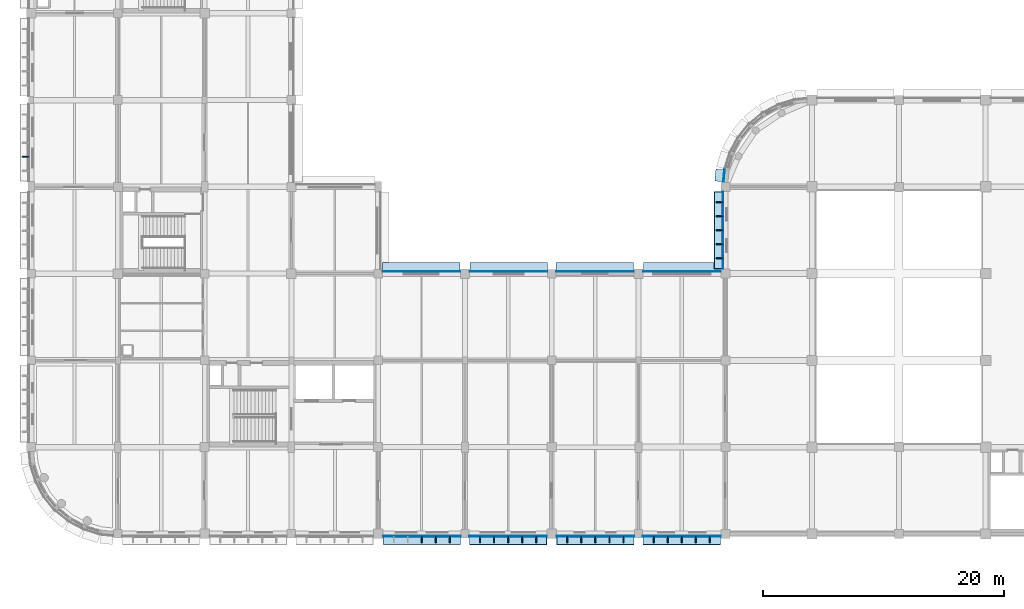
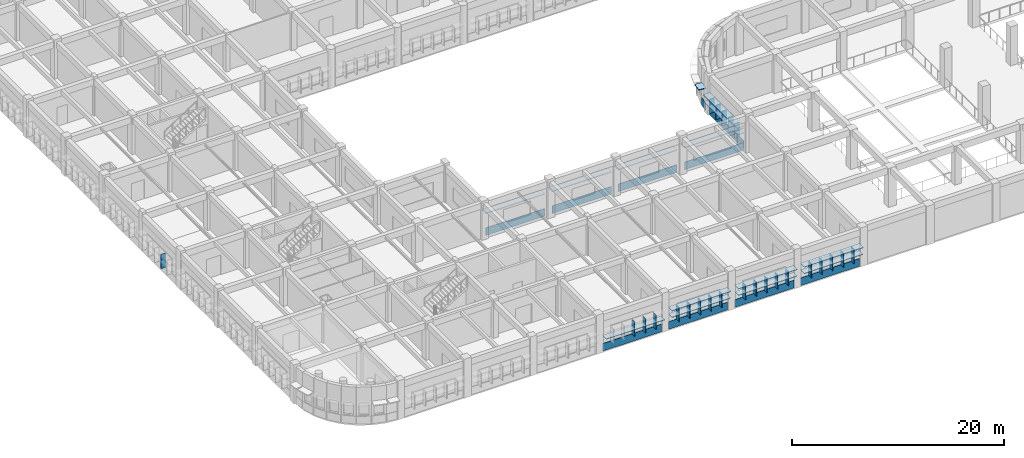
# One storey, part 17 of 61: 48 plates.
"""IFC4 building model written with IfcOpenShell, lengths in metres."""

import ifcopenshell
import ifcopenshell.guid

model = None  # the IFC model being written
_history = None  # IfcOwnerHistory: only IFC2X3 demands one
_inside = {}  # id of a spatial element -> (the spatial element, [elements in it])
_under = {}  # id of a project, library or spatial element -> (it, [spatial elements below it])
_declared = {}  # id of a project -> (the project, [libraries it declares])
_typed = {}  # id of a type object -> (the type object, [elements of that type])
_made_of = {}  # id of a material, layer set ... -> (it, [elements and type objects made of it])


def new_model(schema):
    """Start an empty IFC model of exactly this schema.

    Asked for "IFC4X3", IfcOpenShell would pick the latest addendum, in which some entities
    have other attributes; the version numbers below select the first issue.
    IFC2X3 requires an IfcOwnerHistory on every rooted entity: one is made here for all.
    """
    global model, _history
    if schema == "IFC4X3":
        model = ifcopenshell.file(schema_version=(4, 3, 0, 0))
    else:
        model = ifcopenshell.file(schema=schema)
    _inside.clear()
    _under.clear()
    _declared.clear()
    _typed.clear()
    _made_of.clear()
    _history = None
    if model.schema == "IFC2X3":
        org = make("IfcOrganization", Name="unknown")
        user = make(
            "IfcPersonAndOrganization",
            ThePerson=make("IfcPerson", FamilyName="unknown"),
            TheOrganization=org,
        )
        app = make(
            "IfcApplication",
            ApplicationDeveloper=org,
            Version="unknown",
            ApplicationFullName="unknown",
            ApplicationIdentifier="unknown",
        )
        _history = make(
            "IfcOwnerHistory",
            OwningUser=user,
            OwningApplication=app,
            ChangeAction="ADDED",
            CreationDate=0,
        )
    return model


def make(cls, **values):
    """One entity of the class cls with the attributes given. An attribute that is None is left unset."""
    return model.create_entity(
        cls, **{name: value for name, value in values.items() if value is not None}
    )


def rooted(cls, **values):
    """An entity with a GlobalId (a new one), such as an element, a storey or a relation."""
    return make(cls, GlobalId=ifcopenshell.guid.new(), OwnerHistory=_history, **values)


def si_unit(unit_type, name, prefix=None):
    """IfcSIUnit, for example si_unit("LENGTHUNIT", "METRE", prefix="MILLI")."""
    return make("IfcSIUnit", UnitType=unit_type, Prefix=prefix, Name=name)


def assignment(units):
    """IfcUnitAssignment: the units of a project."""
    return None if units is None else make("IfcUnitAssignment", Units=units)


def point(xyz):
    """IfcCartesianPoint."""
    return None if xyz is None else make("IfcCartesianPoint", Coordinates=xyz)


def direction(xyz):
    """IfcDirection."""
    return None if xyz is None else make("IfcDirection", DirectionRatios=xyz)


def frame(location, z_axis=None, x_axis=None):
    """IfcAxis2Placement3D, a coordinate frame: its origin and axes. An axis left out is left unset."""
    return make(
        "IfcAxis2Placement3D",
        Location=point(location),
        Axis=direction(z_axis),
        RefDirection=direction(x_axis),
    )


def frame_2d(location, x_axis=None):
    """IfcAxis2Placement2D, a coordinate frame in the plane: its origin and x axis."""
    return make(
        "IfcAxis2Placement2D", Location=point(location), RefDirection=direction(x_axis)
    )


def origin():
    """The frame at (0, 0, 0) with its axes left unset."""
    return frame((0.0, 0.0, 0.0))


def origin_2d():
    """The frame at (0, 0) in the plane with its x axis left unset."""
    return frame_2d((0.0, 0.0))


def place(relative_to, where):
    """IfcLocalPlacement: puts the frame where relative to a parent placement (None: the world)."""
    return make(
        "IfcLocalPlacement", PlacementRelTo=relative_to, RelativePlacement=where
    )


def context(
    kind, dimensions, precision=None, world=None, true_north=None, identifier=None
):
    """IfcGeometricRepresentationContext, for example the 3D "Model" context."""
    return make(
        "IfcGeometricRepresentationContext",
        ContextIdentifier=identifier,
        ContextType=kind,
        CoordinateSpaceDimension=dimensions,
        Precision=precision,
        WorldCoordinateSystem=world,
        TrueNorth=true_north,
    )


def subcontext(parent, identifier, kind, view, scale=None):
    """IfcGeometricRepresentationSubContext, for example "Body" below "Model"."""
    return make(
        "IfcGeometricRepresentationSubContext",
        ContextIdentifier=identifier,
        ContextType=kind,
        ParentContext=parent,
        TargetScale=scale,
        TargetView=view,
    )


def project(units=None, contexts=None):
    """IfcProject with its units and contexts."""
    return rooted(
        "IfcProject",
        Name="project",
        RepresentationContexts=contexts,
        UnitsInContext=assignment(units),
    )


def spatial(cls, under=None, at=None, **own):
    """A site, building, storey or space (cls), placed at a placement, below another one or the project."""
    s = rooted(cls, ObjectPlacement=at, **own)
    if under is not None:
        _under.setdefault(under.id(), (under, []))[1].append(s)
    return s


def profile(cls, at=None, kind="AREA", **sizes):
    """A parametric profile (cls). Its sizes go by their IFC names, for example OverallWidth=200.0."""
    return make(cls, ProfileType=kind, Position=at, **sizes)


def rectangle(**sizes):
    """IfcRectangleProfileDef."""
    return profile("IfcRectangleProfileDef", **sizes)


def extrude(swept, where, along, depth):
    """IfcExtrudedAreaSolid: the profile swept, set in the frame where, extruded along a direction by depth."""
    return make(
        "IfcExtrudedAreaSolid",
        SweptArea=swept,
        Position=where,
        ExtrudedDirection=direction(along),
        Depth=depth,
    )


def shape(context_of_items, identifier, shape_type, items):
    """IfcShapeRepresentation: the items that make up one representation, for example the "Body"."""
    return make(
        "IfcShapeRepresentation",
        ContextOfItems=context_of_items,
        RepresentationIdentifier=identifier,
        RepresentationType=shape_type,
        Items=items,
    )


def material(Name=None, Category=None):
    """IfcMaterial."""
    return make("IfcMaterial", Name=Name, Category=Category)


def layer(
    of_material, thickness, ventilated=None, Name=None, Category=None, Priority=None
):
    """IfcMaterialLayer: one layer of a wall or slab, of a material (None: an air gap)."""
    return make(
        "IfcMaterialLayer",
        Material=of_material,
        LayerThickness=thickness,
        IsVentilated=ventilated,
        Name=Name,
        Category=Category,
        Priority=Priority,
    )


def layer_set(layers, Name=None):
    """IfcMaterialLayerSet."""
    return make("IfcMaterialLayerSet", MaterialLayers=layers, LayerSetName=Name)


def made_of(thing, what):
    """Note that an element or type object is made of a material, layer set ...; save() writes the relation."""
    if what is not None:
        _made_of.setdefault(what.id(), (what, []))[1].append(thing)
    return thing


def type_object(cls, material=None, **own):
    """A type object (cls), such as IfcWallType, which elements share."""
    return made_of(rooted(cls, **own), material)


def element(
    cls,
    number,
    at=None,
    inside=None,
    cuts=None,
    type_object=None,
    material=None,
    context=None,
    identifier="Body",
    shape_type=None,
    held_by="IfcProductDefinitionShape",
    body=None,
    shapes=None,
    **own,
):
    """One element of the class cls, such as IfcWall. Its Tag is "e" and its number.

    at: its placement. inside: the storey or other place that contains it. cuts: it is an
    opening in that element (IfcRelVoidsElement). A single representation is given by context,
    identifier, shape_type and body (its items); several are given by shapes. held_by: the class
    of the entity that holds the representations. save() writes the other relations.
    """
    e = rooted(cls, Tag="e%d" % number, ObjectPlacement=at, **own)
    if body is not None:
        shapes = [shape(context, identifier, shape_type, body)]
    if shapes is not None:
        e.Representation = make(held_by, Representations=shapes)
    if inside is not None:
        _inside.setdefault(inside.id(), (inside, []))[1].append(e)
    if cuts is not None:
        rooted(
            "IfcRelVoidsElement", RelatingBuildingElement=cuts, RelatedOpeningElement=e
        )
    if type_object is not None:
        _typed.setdefault(type_object.id(), (type_object, []))[1].append(e)
    return made_of(e, material)


def aggregate(whole, parts):
    """IfcRelAggregates: a whole, such as a stair, and the parts it consists of."""
    return rooted("IfcRelAggregates", RelatingObject=whole, RelatedObjects=parts)


def save(model, path):
    """Write the relations noted so far, then the file.

    IfcRelAggregates (storeys below a building ...), IfcRelContainedInSpatialStructure (elements
    in a storey), IfcRelDefinesByType, IfcRelAssociatesMaterial and IfcRelDeclares: one each for
    every whole, place, type object, material and project.
    """
    for whole, parts in _under.values():
        aggregate(whole, parts)
    for where, things in _inside.values():
        rooted(
            "IfcRelContainedInSpatialStructure",
            RelatedElements=things,
            RelatingStructure=where,
        )
    for kind, things in _typed.values():
        rooted("IfcRelDefinesByType", RelatedObjects=things, RelatingType=kind)
    for what, things in _made_of.values():
        rooted("IfcRelAssociatesMaterial", RelatedObjects=things, RelatingMaterial=what)
    for by, libraries in _declared.values():
        rooted("IfcRelDeclares", RelatingContext=by, RelatedDefinitions=libraries)
    model.write(path)


model = new_model("IFC4")

# Units and contexts
model_context = context("Model", 3, precision=1e-05, world=origin(), true_north=direction((0.0, 1.0)))
body_context = subcontext(model_context, "Body", "Model", "MODEL_VIEW")
ifc_project = project(units=[si_unit("LENGTHUNIT", "METRE"), si_unit("AREAUNIT", "SQUARE_METRE"), si_unit("VOLUMEUNIT", "CUBIC_METRE"), si_unit("PLANEANGLEUNIT", "RADIAN"), si_unit("MASSUNIT", "GRAM", prefix="KILO")], contexts=[model_context])

# Site, building, storey
site_placement = place(None, origin())
site = spatial("IfcSite", under=ifc_project, at=site_placement, CompositionType="ELEMENT")
building_placement = place(site_placement, origin())
building = spatial("IfcBuilding", under=site, at=building_placement, Name="Thalmaran Polytechnic", CompositionType="ELEMENT")
storey_placement = place(building_placement, frame((0.0, 0.0, 9.89990234375)))
storey = spatial("IfcBuildingStorey", under=building, at=storey_placement, Name="L02", CompositionType="ELEMENT", Elevation=9.89990234375)

# Plates
ifc_material_1 = material(Name="Anodised aluminium spandrel band", Category="aluminium")
ifc_layer_1 = layer(ifc_material_1, 0.054931640625, Name="Anodised aluminium spandrel band")
ifc_layer_set_1 = layer_set([ifc_layer_1], Name="Anodised aluminium spandrel band")
plate_type_1 = type_object("IfcPlateType", Name="PT-BD01", PredefinedType="SHEET", material=ifc_layer_set_1)
plate_1_placement = place(storey_placement, frame((53.987548828125, -0.195068359375, 0.020263671875), z_axis=(0.0, 0.0, 1.0), x_axis=(-1.0, 0.0, 0.0)))
element("IfcPlate", 1, at=plate_1_placement, inside=storey, type_object=plate_type_1, Name="Streamline Horizontal Spandrel Band L02-085", PredefinedType="SHEET", context=body_context, shape_type="SweptSolid", body=[
    extrude(rectangle(XDim=6.43505859375, YDim=0.054931640625, at=origin_2d()), origin(), (0.0, 0.0, 1.0), 0.8798828125),
])
for number, where, z_axis, x_axis, name in (
    (2, (46.820068359375, -0.195068359375, 0.020263671875), (0.0, 0.0, 1.0), (-1.0, 0.0, 0.0), "Streamline Horizontal Spandrel Band L02-086"),
    (3, (39.580078125, -0.195068359375, 0.020263671875), (0.0, 0.0, 1.0), (-1.0, 0.0, 0.0), "Streamline Horizontal Spandrel Band L02-087"),
    (4, (32.419921875, -0.195068359375, 0.020263671875), (0.0, 0.0, 1.0), (-1.0, 0.0, 0.0), "Streamline Horizontal Spandrel Band L02-088"),
    (5, (32.3798828125, 21.780029296875, 0.020263671875), (0.0, 0.0, 1.0), (1.0, 0.0, 0.0), "Streamline Horizontal Spandrel Band L02-134"),
    (6, (39.6201171875, 21.780029296875, 0.020263671875), (0.0, 0.0, 1.0), (1.0, 0.0, 0.0), "Streamline Horizontal Spandrel Band L02-135"),
    (7, (46.780029296875, 21.780029296875, 0.020263671875), (0.0, 0.0, 1.0), (1.0, 0.0, 0.0), "Streamline Horizontal Spandrel Band L02-136"),
):
    element("IfcPlate", number, at=place(storey_placement, frame(where, z_axis=z_axis, x_axis=x_axis)), inside=storey, type_object=plate_type_1, Name=name, PredefinedType="SHEET", context=body_context, shape_type="SweptSolid", body=[
        extrude(rectangle(XDim=6.419921875, YDim=0.054931640625, at=origin_2d()), origin(), (0.0, 0.0, 1.0), 0.8798828125),
    ])
plate_2_placement = place(storey_placement, frame((54.007568359375, 21.780029296875, 0.020263671875), z_axis=(0.0, 0.0, 1.0), x_axis=(1.0, 0.0, 0.0)))
element("IfcPlate", 8, at=plate_2_placement, inside=storey, type_object=plate_type_1, Name="Streamline Horizontal Spandrel Band L02-137", PredefinedType="SHEET", context=body_context, shape_type="SweptSolid", body=[
    extrude(rectangle(XDim=6.39501953125, YDim=0.054931640625, at=origin_2d()), origin(), (0.0, 0.0, 1.0), 0.8798828125),
])
plate_3_placement = place(storey_placement, frame((57.405029296875, 25.199951171875, 0.020263671875), z_axis=(0.0, 0.0, 1.0), x_axis=(0.0, 1.0, 0.0)))
element("IfcPlate", 9, at=plate_3_placement, inside=storey, type_object=plate_type_1, Name="Streamline Horizontal Spandrel Band L02-138", PredefinedType="SHEET", context=body_context, shape_type="SweptSolid", body=[
    extrude(rectangle(XDim=6.409912109375, YDim=0.054931640625, at=origin_2d()), origin(), (0.0, 0.0, 1.0), 0.8798828125),
])
plate_4_placement = place(storey_placement, frame((57.493408203125, 29.7080078125, 0.020263671875), z_axis=(0.0, 0.0, 1.0), x_axis=(0.09801714033, 0.995184726672, 0.0)))
element("IfcPlate", 10, at=plate_4_placement, inside=storey, type_object=plate_type_1, Name="Streamline Horizontal Spandrel Band L02-139", PredefinedType="SHEET", context=body_context, shape_type="SweptSolid", body=[
    extrude(rectangle(XDim=0.996337890625, YDim=0.054931640625, at=origin_2d()), origin(), (0.0, 0.0, 1.0), 0.8798828125),
])
ifc_material_2 = material(Name="Anodised aluminium sun-hood eyebrow", Category="aluminium")
ifc_layer_2 = layer(ifc_material_2, 0.0849609375, Name="Anodised aluminium sun-hood eyebrow")
ifc_layer_set_2 = layer_set([ifc_layer_2], Name="Anodised aluminium sun-hood eyebrow")
plate_type_2 = type_object("IfcPlateType", Name="PT-EB01", PredefinedType="SHEET", material=ifc_layer_set_2)
plate_5_placement = place(storey_placement, frame((53.987548828125, -0.5400390625, 2.517578125), z_axis=(0.0, 0.0, 1.0), x_axis=(-1.0, 0.0, 0.0)))
element("IfcPlate", 11, at=plate_5_placement, inside=storey, type_object=plate_type_2, Name="Streamline Sun-Hood Eyebrow L02-085", PredefinedType="SHEET", context=body_context, shape_type="SweptSolid", body=[
    extrude(rectangle(XDim=6.43505859375, YDim=0.760009765625, at=origin_2d()), origin(), (0.0, 0.0, 1.0), 0.0849609375),
])
plate_6_placement = place(storey_placement, frame((53.987548828125, -0.52001953125, 1.74267578125), z_axis=(0.0, 0.0, 1.0), x_axis=(-1.0, 0.0, 0.0)))
element("IfcPlate", 12, at=plate_6_placement, inside=storey, type_object=plate_type_2, Name="Abu Dhabi Horizontal Solar Louvre L02-085", PredefinedType="SHEET", context=body_context, shape_type="SweptSolid", body=[
    extrude(rectangle(XDim=6.39501953125, YDim=0.719970703125, at=origin_2d()), origin(), (0.0, 0.0, 1.0), 0.074951171875),
])
plate_7_placement = place(storey_placement, frame((46.820068359375, -0.5400390625, 2.517578125), z_axis=(0.0, 0.0, 1.0), x_axis=(-1.0, 0.0, 0.0)))
element("IfcPlate", 13, at=plate_7_placement, inside=storey, type_object=plate_type_2, Name="Streamline Sun-Hood Eyebrow L02-086", PredefinedType="SHEET", context=body_context, shape_type="SweptSolid", body=[
    extrude(rectangle(XDim=6.419921875, YDim=0.760009765625, at=origin_2d()), origin(), (0.0, 0.0, 1.0), 0.0849609375),
])
plate_8_placement = place(storey_placement, frame((46.820068359375, -0.52001953125, 1.74267578125), z_axis=(0.0, 0.0, 1.0), x_axis=(-1.0, 0.0, 0.0)))
element("IfcPlate", 14, at=plate_8_placement, inside=storey, type_object=plate_type_2, Name="Abu Dhabi Horizontal Solar Louvre L02-086", PredefinedType="SHEET", context=body_context, shape_type="SweptSolid", body=[
    extrude(rectangle(XDim=6.3798828125, YDim=0.719970703125, at=origin_2d()), origin(), (0.0, 0.0, 1.0), 0.074951171875),
])
plate_9_placement = place(storey_placement, frame((39.580078125, -0.5400390625, 2.517578125), z_axis=(0.0, 0.0, 1.0), x_axis=(-1.0, 0.0, 0.0)))
element("IfcPlate", 15, at=plate_9_placement, inside=storey, type_object=plate_type_2, Name="Streamline Sun-Hood Eyebrow L02-087", PredefinedType="SHEET", context=body_context, shape_type="SweptSolid", body=[
    extrude(rectangle(XDim=6.419921875, YDim=0.760009765625, at=origin_2d()), origin(), (0.0, 0.0, 1.0), 0.0849609375),
])
for number, where, z_axis, x_axis, name in (
    (16, (39.580078125, -0.52001953125, 1.74267578125), (0.0, 0.0, 1.0), (-1.0, 0.0, 0.0), "Abu Dhabi Horizontal Solar Louvre L02-087"),
    (17, (32.419921875, -0.52001953125, 1.74267578125), (0.0, 0.0, 1.0), (-1.0, 0.0, 0.0), "Abu Dhabi Horizontal Solar Louvre L02-088"),
):
    element("IfcPlate", number, at=place(storey_placement, frame(where, z_axis=z_axis, x_axis=x_axis)), inside=storey, type_object=plate_type_2, Name=name, PredefinedType="SHEET", context=body_context, shape_type="SweptSolid", body=[
        extrude(rectangle(XDim=6.3798828125, YDim=0.719970703125, at=origin_2d()), origin(), (0.0, 0.0, 1.0), 0.074951171875),
    ])
for number, where, z_axis, x_axis, name in (
    (18, (32.3798828125, 22.125, 2.517578125), (0.0, 0.0, 1.0), (1.0, 0.0, 0.0), "Streamline Sun-Hood Eyebrow L02-134"),
    (19, (39.6201171875, 22.125, 2.517578125), (0.0, 0.0, 1.0), (1.0, 0.0, 0.0), "Streamline Sun-Hood Eyebrow L02-135"),
    (20, (46.780029296875, 22.125, 2.517578125), (0.0, 0.0, 1.0), (1.0, 0.0, 0.0), "Streamline Sun-Hood Eyebrow L02-136"),
):
    element("IfcPlate", number, at=place(storey_placement, frame(where, z_axis=z_axis, x_axis=x_axis)), inside=storey, type_object=plate_type_2, Name=name, PredefinedType="SHEET", context=body_context, shape_type="SweptSolid", body=[
        extrude(rectangle(XDim=6.419921875, YDim=0.760009765625, at=origin_2d()), origin(), (0.0, 0.0, 1.0), 0.0849609375),
    ])
plate_10_placement = place(storey_placement, frame((54.007568359375, 22.125, 2.517578125), z_axis=(0.0, 0.0, 1.0), x_axis=(1.0, 0.0, 0.0)))
element("IfcPlate", 21, at=plate_10_placement, inside=storey, type_object=plate_type_2, Name="Streamline Sun-Hood Eyebrow L02-137", PredefinedType="SHEET", context=body_context, shape_type="SweptSolid", body=[
    extrude(rectangle(XDim=6.39501953125, YDim=0.760009765625, at=origin_2d()), origin(), (0.0, 0.0, 1.0), 0.0849609375),
])
plate_11_placement = place(storey_placement, frame((57.06005859375, 25.199951171875, 2.517578125), z_axis=(0.0, 0.0, 1.0), x_axis=(0.0, 1.0, 0.0)))
element("IfcPlate", 22, at=plate_11_placement, inside=storey, type_object=plate_type_2, Name="Streamline Sun-Hood Eyebrow L02-138", PredefinedType="SHEET", context=body_context, shape_type="SweptSolid", body=[
    extrude(rectangle(XDim=6.409912109375, YDim=0.760009765625, at=origin_2d()), origin(), (0.0, 0.0, 1.0), 0.0849609375),
])
plate_12_placement = place(storey_placement, frame((57.080078125, 25.199951171875, 1.74267578125), z_axis=(0.0, 0.0, 1.0), x_axis=(0.0, 1.0, 0.0)))
element("IfcPlate", 23, at=plate_12_placement, inside=storey, type_object=plate_type_2, Name="Abu Dhabi Horizontal Solar Louvre L02-138", PredefinedType="SHEET", context=body_context, shape_type="SweptSolid", body=[
    extrude(rectangle(XDim=6.3701171875, YDim=0.719970703125, at=origin_2d()), origin(), (0.0, 0.0, 1.0), 0.074951171875),
])
plate_13_placement = place(storey_placement, frame((57.150146484375, 29.741943359375, 2.517578125), z_axis=(0.0, 0.0, 1.0), x_axis=(0.09801714033, 0.995184726672, 0.0)))
element("IfcPlate", 24, at=plate_13_placement, inside=storey, type_object=plate_type_2, Name="Streamline Sun-Hood Eyebrow L02-139", PredefinedType="SHEET", context=body_context, shape_type="SweptSolid", body=[
    extrude(rectangle(XDim=0.996337890625, YDim=0.760009765625, at=origin_2d()), origin(), (0.0, 0.0, 1.0), 0.0849609375),
])
ifc_material_3 = material(Name="Anodised bronze brise-soleil fin")
ifc_layer_3 = layer(ifc_material_3, 0.06494140625, Name="Anodised bronze brise-soleil fin")
ifc_layer_set_3 = layer_set([ifc_layer_3], Name="Anodised bronze brise-soleil fin")
plate_type_3 = type_object("IfcPlateType", Name="PT-FN01", PredefinedType="SHEET", material=ifc_layer_set_3)
for number, where, z_axis, x_axis, name in (
    (25, (-0.4599609375, 31.297119140625, 0.895263671875), (0.0, 0.0, 1.0), (0.0, 1.0, 0.0), "Abu Dhabi Solar Brise-Soleil Fin L02-005-2"),
    (26, (56.318603515625, -0.4599609375, 0.895263671875), (0.0, 0.0, 1.0), (-1.0, 0.0, 0.0), "Abu Dhabi Solar Brise-Soleil Fin L02-085-1"),
    (27, (55.153076171875, -0.4599609375, 0.895263671875), (0.0, 0.0, 1.0), (-1.0, 0.0, 0.0), "Abu Dhabi Solar Brise-Soleil Fin L02-085-2"),
    (28, (53.987548828125, -0.4599609375, 0.895263671875), (0.0, 0.0, 1.0), (-1.0, 0.0, 0.0), "Abu Dhabi Solar Brise-Soleil Fin L02-085-3"),
    (29, (52.822021484375, -0.4599609375, 0.895263671875), (0.0, 0.0, 1.0), (-1.0, 0.0, 0.0), "Abu Dhabi Solar Brise-Soleil Fin L02-085-4"),
    (30, (51.656494140625, -0.4599609375, 0.895263671875), (0.0, 0.0, 1.0), (-1.0, 0.0, 0.0), "Abu Dhabi Solar Brise-Soleil Fin L02-085-5"),
    (31, (49.1455078125, -0.4599609375, 0.895263671875), (0.0, 0.0, 1.0), (-1.0, 0.0, 0.0), "Abu Dhabi Solar Brise-Soleil Fin L02-086-1"),
    (32, (47.98291015625, -0.4599609375, 0.895263671875), (0.0, 0.0, 1.0), (-1.0, 0.0, 0.0), "Abu Dhabi Solar Brise-Soleil Fin L02-086-2"),
    (33, (46.820068359375, -0.4599609375, 0.895263671875), (0.0, 0.0, 1.0), (-1.0, 0.0, 0.0), "Abu Dhabi Solar Brise-Soleil Fin L02-086-3"),
    (34, (45.6572265625, -0.4599609375, 0.895263671875), (0.0, 0.0, 1.0), (-1.0, 0.0, 0.0), "Abu Dhabi Solar Brise-Soleil Fin L02-086-4"),
    (35, (44.494384765625, -0.4599609375, 0.895263671875), (0.0, 0.0, 1.0), (-1.0, 0.0, 0.0), "Abu Dhabi Solar Brise-Soleil Fin L02-086-5"),
    (36, (41.905517578125, -0.4599609375, 0.895263671875), (0.0, 0.0, 1.0), (-1.0, 0.0, 0.0), "Abu Dhabi Solar Brise-Soleil Fin L02-087-1"),
    (37, (40.742919921875, -0.4599609375, 0.895263671875), (0.0, 0.0, 1.0), (-1.0, 0.0, 0.0), "Abu Dhabi Solar Brise-Soleil Fin L02-087-2"),
    (38, (39.580078125, -0.4599609375, 0.895263671875), (0.0, 0.0, 1.0), (-1.0, 0.0, 0.0), "Abu Dhabi Solar Brise-Soleil Fin L02-087-3"),
    (39, (38.417236328125, -0.4599609375, 0.895263671875), (0.0, 0.0, 1.0), (-1.0, 0.0, 0.0), "Abu Dhabi Solar Brise-Soleil Fin L02-087-4"),
    (40, (37.25439453125, -0.4599609375, 0.895263671875), (0.0, 0.0, 1.0), (-1.0, 0.0, 0.0), "Abu Dhabi Solar Brise-Soleil Fin L02-087-5"),
    (41, (34.74560546875, -0.4599609375, 0.895263671875), (0.0, 0.0, 1.0), (-1.0, 0.0, 0.0), "Abu Dhabi Solar Brise-Soleil Fin L02-088-1"),
    (42, (33.582763671875, -0.4599609375, 0.895263671875), (0.0, 0.0, 1.0), (-1.0, 0.0, 0.0), "Abu Dhabi Solar Brise-Soleil Fin L02-088-2"),
    (43, (32.419921875, -0.4599609375, 0.895263671875), (0.0, 0.0, 1.0), (-1.0, 0.0, 0.0), "Abu Dhabi Solar Brise-Soleil Fin L02-088-3"),
    (44, (57.139892578125, 22.8779296875, 0.895263671875), (0.0, 0.0, 1.0), (0.0, 1.0, 0.0), "Abu Dhabi Solar Brise-Soleil Fin L02-138-1"),
    (45, (57.139892578125, 24.0390625, 0.895263671875), (0.0, 0.0, 1.0), (0.0, 1.0, 0.0), "Abu Dhabi Solar Brise-Soleil Fin L02-138-2"),
    (46, (57.139892578125, 25.199951171875, 0.895263671875), (0.0, 0.0, 1.0), (0.0, 1.0, 0.0), "Abu Dhabi Solar Brise-Soleil Fin L02-138-3"),
    (47, (57.139892578125, 26.361083984375, 0.895263671875), (0.0, 0.0, 1.0), (0.0, 1.0, 0.0), "Abu Dhabi Solar Brise-Soleil Fin L02-138-4"),
    (48, (57.139892578125, 27.52197265625, 0.895263671875), (0.0, 0.0, 1.0), (0.0, 1.0, 0.0), "Abu Dhabi Solar Brise-Soleil Fin L02-138-5"),
):
    element("IfcPlate", number, at=place(storey_placement, frame(where, z_axis=z_axis, x_axis=x_axis)), inside=storey, type_object=plate_type_3, Name=name, PredefinedType="SHEET", context=body_context, shape_type="SweptSolid", body=[
        extrude(rectangle(XDim=0.06494140625, YDim=0.56005859375, at=origin_2d()), origin(), (0.0, 0.0, 1.0), 1.64990234375),
    ])

save(model, "model.ifc")
